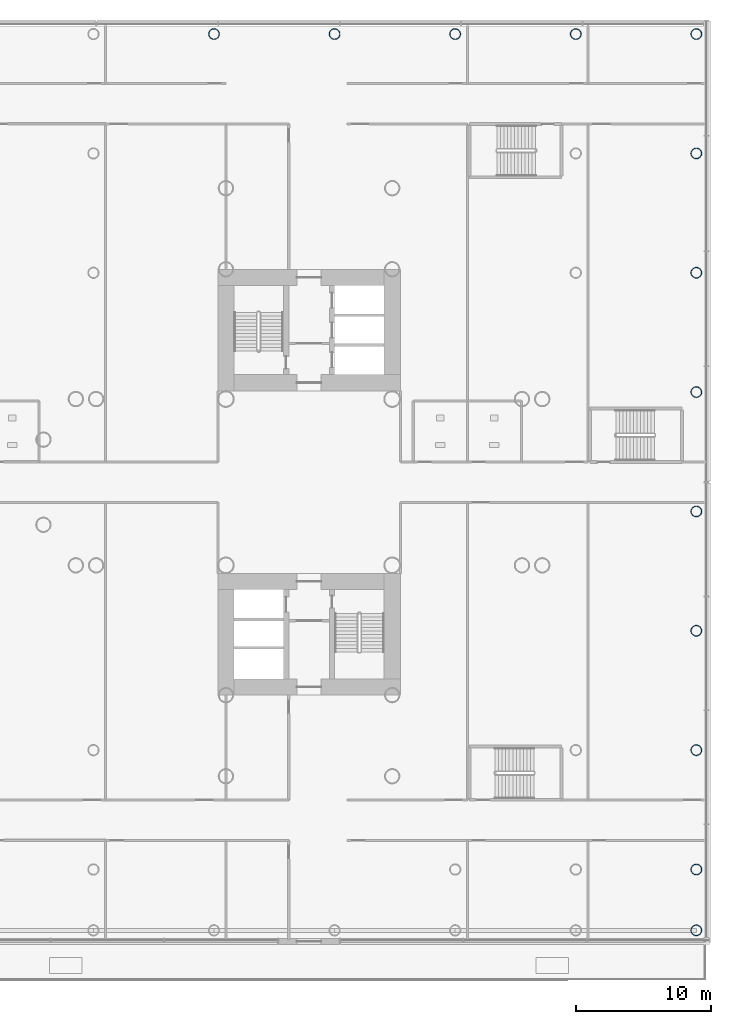
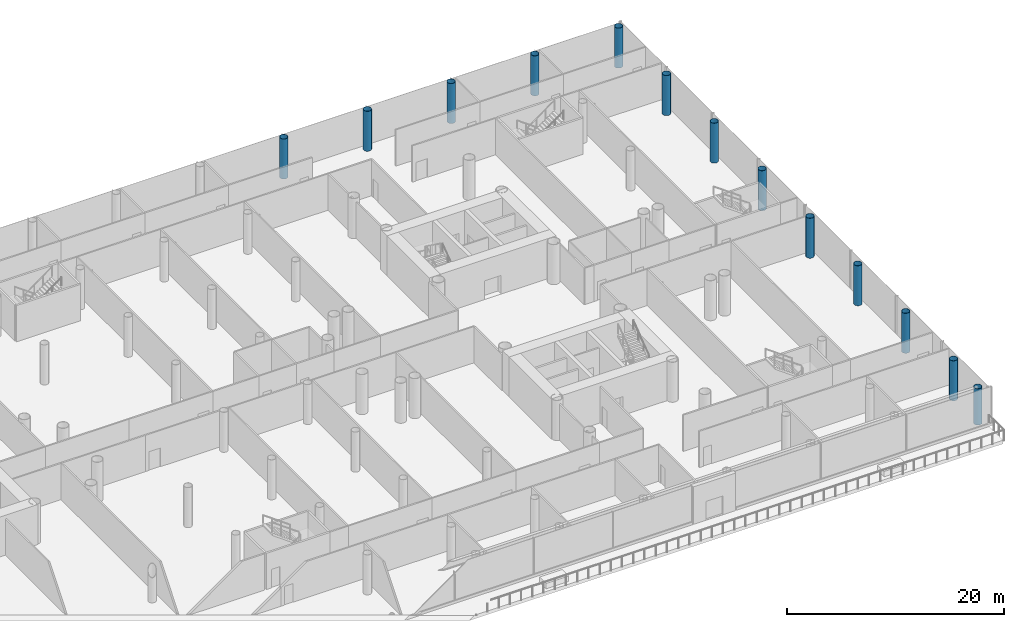
# One storey, part 4 of 51: 13 columns.
"""IFC4 building model written with IfcOpenShell, lengths in metres."""

from ifc_helpers import new_model, si_unit, direction, frame, origin, origin_2d, place, context, subcontext, project, spatial, hollow_circle, extrude, material, material_profile, profile_set, type_object, element, save


model = new_model("IFC4")

# Units and contexts
model_context = context("Model", 3, precision=1e-05, world=origin(), true_north=direction((0.0, 1.0)))
body_context = subcontext(model_context, "Body", "Model", "MODEL_VIEW")
ifc_project = project(units=[si_unit("LENGTHUNIT", "METRE"), si_unit("AREAUNIT", "SQUARE_METRE"), si_unit("VOLUMEUNIT", "CUBIC_METRE"), si_unit("PLANEANGLEUNIT", "RADIAN"), si_unit("MASSUNIT", "GRAM", prefix="KILO")], contexts=[model_context])

# Site, building, storey
site_placement = place(None, origin())
site = spatial("IfcSite", under=ifc_project, at=site_placement, CompositionType="ELEMENT")
building_placement = place(site_placement, origin())
building = spatial("IfcBuilding", under=site, at=building_placement, Name="Ipe Terrace Towers", CompositionType="ELEMENT")
storey_placement = place(building_placement, frame((0.0, 0.0, 15.5)))
storey = spatial("IfcBuildingStorey", under=building, at=storey_placement, Name="L03", CompositionType="ELEMENT", Elevation=15.5)

# Columns
ifc_material = material(Name="Steel S355 tube with Concrete C60/75 fill", Category="concrete")
ifc_material_profile = material_profile(ifc_material, hollow_circle(Radius=0.39990234375, WallThickness=0.028076171875, at=origin_2d()), Name="CHS-800x28")
ifc_profile_set = profile_set([ifc_material_profile], Name="Steel S355 tube with Concrete C60/75 fill")
column_type = type_object("IfcColumnType", Name="CH09 PODIUM COLUMN CHS-800x28", PredefinedType="COLUMN", material=ifc_profile_set)
column_placement = place(storey_placement, frame((64.64990234375, -33.14990234375, 0.0), z_axis=(0.0, 0.0, 1.0), x_axis=(1.0, 0.0, 0.0)))
element("IfcColumn", 1, at=column_placement, inside=storey, type_object=column_type, Name="Column PD-C-C16", PredefinedType="COLUMN", context=body_context, shape_type="SweptSolid", body=[
    extrude(hollow_circle(Radius=0.39990234375, WallThickness=0.028076171875, at=origin_2d()), origin(), (0.0, 0.0, 1.0), 4.080078125),
])
for number, where, z_axis, x_axis, name in (
    (2, (64.64990234375, -28.64990234375, 0.0), (0.0, 0.0, 1.0), (1.0, 0.0, 0.0), "Column PD-C-D16"),
    (3, (64.64990234375, -19.821044921875, 0.0), (0.0, 0.0, 1.0), (1.0, 0.0, 0.0), "Column PD-C-E16"),
    (4, (64.64990234375, -10.992919921875, 0.0), (0.0, 0.0, 1.0), (1.0, 0.0, 0.0), "Column PD-C-F16"),
    (5, (64.64990234375, -2.1640625, 0.0), (0.0, 0.0, 1.0), (1.0, 0.0, 0.0), "Column PD-C-G16"),
    (6, (64.64990234375, 6.6640625, 0.0), (0.0, 0.0, 1.0), (1.0, 0.0, 0.0), "Column PD-C-H16"),
    (7, (64.64990234375, 15.492919921875, 0.0), (0.0, 0.0, 1.0), (1.0, 0.0, 0.0), "Column PD-C-I16"),
    (8, (64.64990234375, 24.321044921875, 0.0), (0.0, 0.0, 1.0), (1.0, 0.0, 0.0), "Column PD-C-J16"),
    (9, (28.969970703125, 33.14990234375, 0.0), (0.0, 0.0, 1.0), (1.0, 0.0, 0.0), "Column PD-C-K12"),
    (10, (37.889892578125, 33.14990234375, 0.0), (0.0, 0.0, 1.0), (1.0, 0.0, 0.0), "Column PD-C-K13"),
    (11, (46.81005859375, 33.14990234375, 0.0), (0.0, 0.0, 1.0), (1.0, 0.0, 0.0), "Column PD-C-K14"),
    (12, (55.72998046875, 33.14990234375, 0.0), (0.0, 0.0, 1.0), (1.0, 0.0, 0.0), "Column PD-C-K15"),
    (13, (64.64990234375, 33.14990234375, 0.0), (0.0, 0.0, 1.0), (1.0, 0.0, 0.0), "Column PD-C-K16"),
):
    element("IfcColumn", number, at=place(storey_placement, frame(where, z_axis=z_axis, x_axis=x_axis)), inside=storey, type_object=column_type, Name=name, PredefinedType="COLUMN", context=body_context, shape_type="SweptSolid", body=[
        extrude(hollow_circle(Radius=0.39990234375, WallThickness=0.028076171875, at=origin_2d()), origin(), (0.0, 0.0, 1.0), 4.5),
    ])

save(model, "model.ifc")
